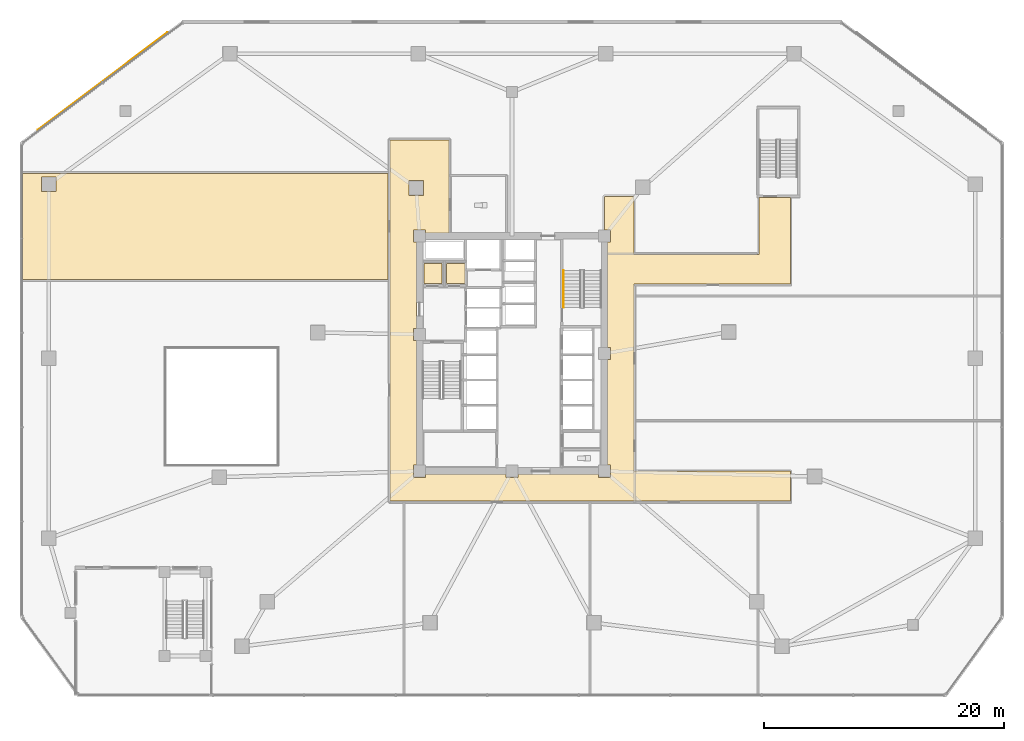
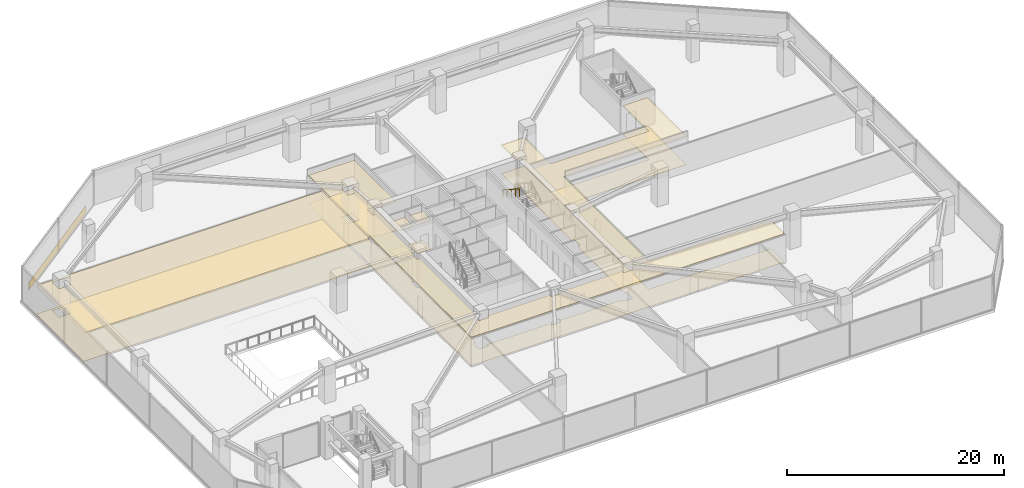
# One storey, part 17 of 22: 9 coverings, 1 railing.
"""IFC4 building model written with IfcOpenShell, lengths in metres."""

from ifc_helpers import new_model, si_unit, direction, frame, origin, origin_2d, place, context, subcontext, project, spatial, polyline, rectangle, circle, outline, extrude, material, layer, layer_set, type_object, element, save


model = new_model("IFC4")

# Units and contexts
model_context = context("Model", 3, precision=1e-05, world=origin(), true_north=direction((0.0, 1.0)))
body_context = subcontext(model_context, "Body", "Model", "MODEL_VIEW")
ifc_project = project(units=[si_unit("LENGTHUNIT", "METRE"), si_unit("AREAUNIT", "SQUARE_METRE"), si_unit("VOLUMEUNIT", "CUBIC_METRE"), si_unit("PLANEANGLEUNIT", "RADIAN"), si_unit("MASSUNIT", "GRAM", prefix="KILO")], contexts=[model_context])

# Site, building, storey
site_placement = place(None, origin())
site = spatial("IfcSite", under=ifc_project, at=site_placement, CompositionType="ELEMENT")
building_placement = place(site_placement, origin())
building = spatial("IfcBuilding", under=site, at=building_placement, Name="Savorim Split Tower", CompositionType="ELEMENT")
storey_placement = place(building_placement, frame((0.0, 0.0, 17.60009765625)))
storey = spatial("IfcBuildingStorey", under=building, at=storey_placement, Name="L04", CompositionType="ELEMENT", Elevation=17.60009765625)

# Coverings
ifc_material_1 = material(Name="Mineral Fibre Acoustic Ceiling")
ifc_layer_1 = layer(ifc_material_1, 0.02490234375)
ifc_layer_set_1 = layer_set([ifc_layer_1], Name="COV-CEIL-25")
covering_type_1 = type_object("IfcCoveringType", Name="COV-CEIL-25", PredefinedType="CEILING", material=ifc_layer_set_1)
covering_1_placement = place(storey_placement, frame((0.0, 0.0, 3.199951171875)))
element("IfcCovering", 1, at=covering_1_placement, inside=storey, type_object=covering_type_1, Name="L04 Electrical Riser Acoustic Ceiling", PredefinedType="CEILING", context=body_context, shape_type="SweptSolid", body=[
    extrude(outline(polyline([(-7.320068359375, 7.919921875), (-7.320068359375, 6.22998046875), (-5.830078125, 6.22998046875), (-5.830078125, 7.919921875), (-7.320068359375, 7.919921875)])), origin(), (0.0, 0.0, 1.0), 0.02490234375),
])
covering_2_placement = place(storey_placement, frame((0.0, 0.0, 3.199951171875)))
element("IfcCovering", 2, at=covering_2_placement, inside=storey, type_object=covering_type_1, Name="L04 Telecom Riser Acoustic Ceiling", PredefinedType="CEILING", context=body_context, shape_type="SweptSolid", body=[
    extrude(outline(polyline([(-5.469970703125, 7.919921875), (-5.469970703125, 6.22998046875), (-3.929931640625, 6.22998046875), (-3.929931640625, 7.919921875), (-5.469970703125, 7.919921875)])), origin(), (0.0, 0.0, 1.0), 0.02490234375),
])
covering_3_placement = place(storey_placement, frame((0.0, 0.0, 3.199951171875)))
element("IfcCovering", 3, at=covering_3_placement, inside=storey, type_object=covering_type_1, Name="L04 Corridor Acoustic Ceiling", PredefinedType="CEILING", context=body_context, shape_type="SweptSolid", body=[
    extrude(outline(polyline([(-7.699951171875, 18.199951171875), (-10.14990234375, 18.199951171875), (-10.14990234375, -9.39990234375), (-10.14990234375, -11.89990234375), (-7.699951171875, -11.89990234375), (7.699951171875, -11.89990234375), (10.14990234375, -11.89990234375), (23.199951171875, -11.89990234375), (23.199951171875, -9.39990234375), (10.14990234375, -9.39990234375), (10.14990234375, 6.199951171875), (23.199951171875, 6.199951171875), (23.199951171875, 8.64990234375), (23.199951171875, 13.39990234375), (20.60009765625, 13.39990234375), (20.60009765625, 8.64990234375), (10.14990234375, 8.64990234375), (10.14990234375, 13.5), (7.699951171875, 13.5), (7.699951171875, 10.7099609375), (8.2099609375, 10.7099609375), (8.2099609375, 9.68994140625), (7.949951171875, 9.68994140625), (7.949951171875, 0.909912109375), (8.2099609375, 0.909912109375), (8.2099609375, -0.110107421875), (7.949951171875, -0.110107421875), (7.949951171875, -8.889892578125), (8.2099609375, -8.889892578125), (8.2099609375, -9.909912109375), (7.18994140625, -9.909912109375), (7.18994140625, -9.64990234375), (0.510009765625, -9.64990234375), (0.510009765625, -9.909912109375), (-0.510009765625, -9.909912109375), (-0.510009765625, -9.64990234375), (-7.18994140625, -9.64990234375), (-7.18994140625, -9.909912109375), (-8.2099609375, -9.909912109375), (-8.2099609375, -8.889892578125), (-7.949951171875, -8.889892578125), (-7.949951171875, 1.489990234375), (-8.2099609375, 1.489990234375), (-8.2099609375, 2.510009765625), (-7.949951171875, 2.510009765625), (-7.949951171875, 9.68994140625), (-8.2099609375, 9.68994140625), (-8.2099609375, 10.7099609375), (-7.18994140625, 10.7099609375), (-7.18994140625, 10.449951171875), (-5.25, 10.449951171875), (-5.25, 18.199951171875), (-7.699951171875, 18.199951171875)]), holes=[polyline([(-8.6025390625, 13.591796875), (-7.382568359375, 13.591796875), (-7.382568359375, 14.811767578125), (-8.6025390625, 14.811767578125), (-8.6025390625, 13.591796875)])]), origin(), (0.0, 0.0, 1.0), 0.02490234375),
])
covering_4_placement = place(storey_placement, frame((0.0, 0.0, 3.199951171875)))
element("IfcCovering", 4, at=covering_4_placement, inside=storey, type_object=covering_type_1, Name="L04 Maker Workshop Acoustic Ceiling", PredefinedType="CEILING", context=body_context, shape_type="SweptSolid", body=[
    extrude(outline(polyline([(-10.31494140625, 6.594970703125), (-10.31494140625, 15.405029296875), (-40.780029296875, 15.405029296875), (-40.780029296875, 6.594970703125), (-10.31494140625, 6.594970703125)]), holes=[polyline([(-37.989990234375, 15.110107421875), (-39.2099609375, 15.110107421875), (-39.2099609375, 13.889892578125), (-37.989990234375, 13.889892578125), (-37.989990234375, 15.110107421875)])]), origin(), (0.0, 0.0, 1.0), 0.02490234375),
])
ifc_material_2 = material(Name="Terracotta Ceramic-Coated Aluminium Fin", Category="masonry")
ifc_layer_2 = layer(ifc_material_2, 0.050048828125)
ifc_layer_set_2 = layer_set([ifc_layer_2], Name="COV-CLAD-TERRA")
covering_type_2 = type_object("IfcCoveringType", Name="COV-CLAD-TERRA", PredefinedType="CLADDING", material=ifc_layer_set_2)
covering_5_placement = place(storey_placement, frame((-34.10009765625, 23.10009765625, 0.02490234375), z_axis=(0.0, 0.0, 1.0), x_axis=(0.798635510047, 0.601815023152, 0.0)))
element("IfcCovering", 5, at=covering_5_placement, inside=storey, type_object=covering_type_2, Name="L04 NW Podium Spandrel Cladding", PredefinedType="CLADDING", context=body_context, shape_type="SweptSolid", body=[
    extrude(rectangle(XDim=13.5, YDim=0.050048828125, at=origin_2d()), origin(), (0.0, 0.0, 1.0), 0.85009765625),
])
ifc_material_3 = material(Name="Porcelain Stoneware Flooring", Category="masonry")
ifc_layer_3 = layer(ifc_material_3, 0.02001953125)
ifc_layer_set_3 = layer_set([ifc_layer_3], Name="COV-FLOR-20")
covering_type_3 = type_object("IfcCoveringType", Name="COV-FLOR-20", PredefinedType="FLOORING", material=ifc_layer_set_3)
covering_6_placement = place(storey_placement, origin())
element("IfcCovering", 6, at=covering_6_placement, inside=storey, type_object=covering_type_3, Name="L04 Electrical Riser Porcelain Flooring", PredefinedType="FLOORING", context=body_context, shape_type="SweptSolid", body=[
    extrude(outline(polyline([(-7.320068359375, 7.919921875), (-7.320068359375, 6.22998046875), (-5.830078125, 6.22998046875), (-5.830078125, 7.919921875), (-7.320068359375, 7.919921875)])), origin(), (0.0, 0.0, 1.0), 0.02001953125),
])
covering_7_placement = place(storey_placement, origin())
element("IfcCovering", 7, at=covering_7_placement, inside=storey, type_object=covering_type_3, Name="L04 Telecom Riser Porcelain Flooring", PredefinedType="FLOORING", context=body_context, shape_type="SweptSolid", body=[
    extrude(outline(polyline([(-5.469970703125, 7.919921875), (-5.469970703125, 6.22998046875), (-3.929931640625, 6.22998046875), (-3.929931640625, 7.919921875), (-5.469970703125, 7.919921875)])), origin(), (0.0, 0.0, 1.0), 0.02001953125),
])
covering_8_placement = place(storey_placement, origin())
element("IfcCovering", 8, at=covering_8_placement, inside=storey, type_object=covering_type_3, Name="L04 Corridor Porcelain Flooring", PredefinedType="FLOORING", context=body_context, shape_type="SweptSolid", body=[
    extrude(outline(polyline([(-7.699951171875, 18.199951171875), (-10.14990234375, 18.199951171875), (-10.14990234375, -9.39990234375), (-10.14990234375, -11.89990234375), (-7.699951171875, -11.89990234375), (7.699951171875, -11.89990234375), (10.14990234375, -11.89990234375), (23.199951171875, -11.89990234375), (23.199951171875, -9.39990234375), (10.14990234375, -9.39990234375), (10.14990234375, 6.199951171875), (23.199951171875, 6.199951171875), (23.199951171875, 8.64990234375), (23.199951171875, 13.39990234375), (20.60009765625, 13.39990234375), (20.60009765625, 8.64990234375), (10.14990234375, 8.64990234375), (10.14990234375, 13.5), (7.699951171875, 13.5), (7.699951171875, 10.7099609375), (8.2099609375, 10.7099609375), (8.2099609375, 9.68994140625), (7.949951171875, 9.68994140625), (7.949951171875, 0.909912109375), (8.2099609375, 0.909912109375), (8.2099609375, -0.110107421875), (7.949951171875, -0.110107421875), (7.949951171875, -8.889892578125), (8.2099609375, -8.889892578125), (8.2099609375, -9.909912109375), (7.18994140625, -9.909912109375), (7.18994140625, -9.64990234375), (0.510009765625, -9.64990234375), (0.510009765625, -9.909912109375), (-0.510009765625, -9.909912109375), (-0.510009765625, -9.64990234375), (-7.18994140625, -9.64990234375), (-7.18994140625, -9.909912109375), (-8.2099609375, -9.909912109375), (-8.2099609375, -8.889892578125), (-7.949951171875, -8.889892578125), (-7.949951171875, 1.489990234375), (-8.2099609375, 1.489990234375), (-8.2099609375, 2.510009765625), (-7.949951171875, 2.510009765625), (-7.949951171875, 9.68994140625), (-8.2099609375, 9.68994140625), (-8.2099609375, 10.7099609375), (-7.18994140625, 10.7099609375), (-7.18994140625, 10.449951171875), (-5.25, 10.449951171875), (-5.25, 18.199951171875), (-7.699951171875, 18.199951171875)]), holes=[polyline([(-8.6025390625, 13.591796875), (-7.382568359375, 13.591796875), (-7.382568359375, 14.811767578125), (-8.6025390625, 14.811767578125), (-8.6025390625, 13.591796875)])]), origin(), (0.0, 0.0, 1.0), 0.02001953125),
])
covering_9_placement = place(storey_placement, origin())
element("IfcCovering", 9, at=covering_9_placement, inside=storey, type_object=covering_type_3, Name="L04 Maker Workshop Porcelain Flooring", PredefinedType="FLOORING", context=body_context, shape_type="SweptSolid", body=[
    extrude(outline(polyline([(-10.31494140625, 6.594970703125), (-10.31494140625, 15.405029296875), (-40.780029296875, 15.405029296875), (-40.780029296875, 6.594970703125), (-10.31494140625, 6.594970703125)]), holes=[polyline([(-37.989990234375, 15.110107421875), (-39.2099609375, 15.110107421875), (-39.2099609375, 13.889892578125), (-37.989990234375, 13.889892578125), (-37.989990234375, 15.110107421875)])]), origin(), (0.0, 0.0, 1.0), 0.02001953125),
])

# Railing
ifc_material_4 = material(Name="Galvanised Painted Steel Balustrade", Category="steel")
railing_type = type_object("IfcRailingType", Name="RLG-HR-900", PredefinedType="HANDRAIL", material=ifc_material_4)
railing_placement = place(storey_placement, frame((4.300048828125, 7.330078125, 2.27490234375)))
element("IfcRailing", 10, at=railing_placement, inside=storey, type_object=railing_type, Name="L04 ST-2 stair handrail 2", PredefinedType="HANDRAIL", context=body_context, shape_type="SweptSolid", body=[
    extrude(circle(Radius=0.02392578125, at=origin_2d()), frame((0.0, 0.0, 0.8759765625), z_axis=(0.0, -0.847998304005, 0.529998940003), x_axis=(1.0, 0.0, 0.0)), (0.0, 0.0, 1.0), 3.632080078125),
    extrude(circle(Radius=0.02099609375, at=origin_2d()), origin(), (0.0, 0.0, 1.0), 0.851806640625),
    extrude(circle(Radius=0.02099609375, at=origin_2d()), frame((0.0, -0.77001953125, 0.481201171875)), (0.0, 0.0, 1.0), 0.851806640625),
    extrude(circle(Radius=0.02099609375, at=origin_2d()), frame((0.0, -1.5400390625, 0.96240234375)), (0.0, 0.0, 1.0), 0.851806640625),
    extrude(circle(Radius=0.02099609375, at=origin_2d()), frame((0.0, -2.31005859375, 1.44384765625)), (0.0, 0.0, 1.0), 0.851806640625),
    extrude(circle(Radius=0.02099609375, at=origin_2d()), frame((0.0, -3.080078125, 1.925048828125)), (0.0, 0.0, 1.0), 0.851806640625),
])

save(model, "model.ifc")
